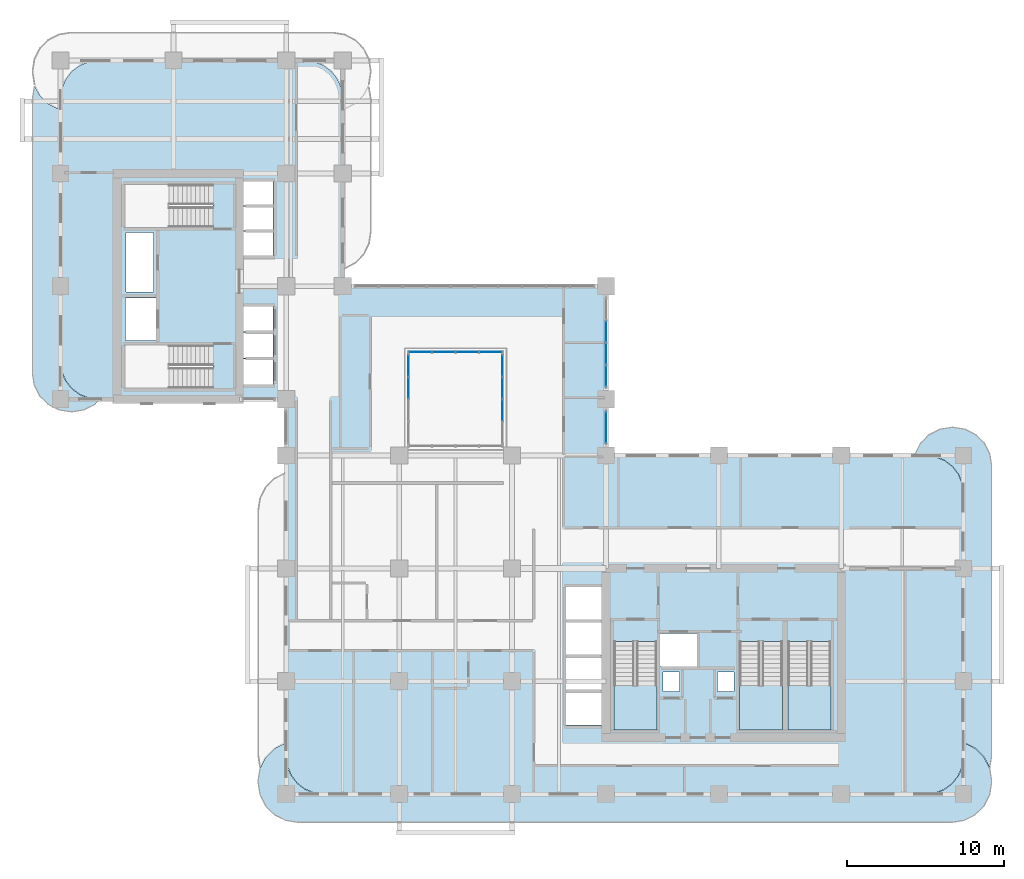
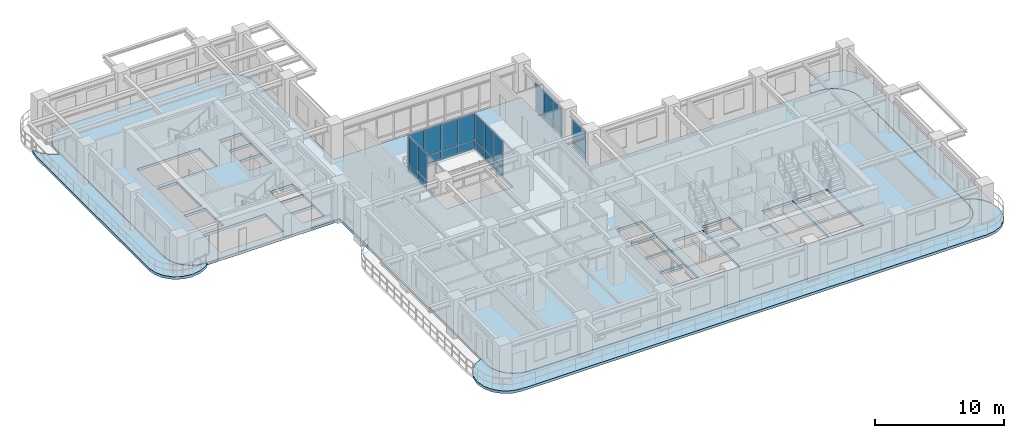
# One storey, part 10 of 22: 26 plates, 7 slabs, 8 elements without a shape of their own.
"""IFC4 building model written with IfcOpenShell, lengths in metres."""

import ifcopenshell
import ifcopenshell.guid

model = None  # the IFC model being written
_history = None  # IfcOwnerHistory: only IFC2X3 demands one
_inside = {}  # id of a spatial element -> (the spatial element, [elements in it])
_under = {}  # id of a project, library or spatial element -> (it, [spatial elements below it])
_declared = {}  # id of a project -> (the project, [libraries it declares])
_typed = {}  # id of a type object -> (the type object, [elements of that type])
_made_of = {}  # id of a material, layer set ... -> (it, [elements and type objects made of it])


def new_model(schema):
    """Start an empty IFC model of exactly this schema.

    Asked for "IFC4X3", IfcOpenShell would pick the latest addendum, in which some entities
    have other attributes; the version numbers below select the first issue.
    IFC2X3 requires an IfcOwnerHistory on every rooted entity: one is made here for all.
    """
    global model, _history
    if schema == "IFC4X3":
        model = ifcopenshell.file(schema_version=(4, 3, 0, 0))
    else:
        model = ifcopenshell.file(schema=schema)
    _inside.clear()
    _under.clear()
    _declared.clear()
    _typed.clear()
    _made_of.clear()
    _history = None
    if model.schema == "IFC2X3":
        org = make("IfcOrganization", Name="unknown")
        user = make(
            "IfcPersonAndOrganization",
            ThePerson=make("IfcPerson", FamilyName="unknown"),
            TheOrganization=org,
        )
        app = make(
            "IfcApplication",
            ApplicationDeveloper=org,
            Version="unknown",
            ApplicationFullName="unknown",
            ApplicationIdentifier="unknown",
        )
        _history = make(
            "IfcOwnerHistory",
            OwningUser=user,
            OwningApplication=app,
            ChangeAction="ADDED",
            CreationDate=0,
        )
    return model


def make(cls, **values):
    """One entity of the class cls with the attributes given. An attribute that is None is left unset."""
    return model.create_entity(
        cls, **{name: value for name, value in values.items() if value is not None}
    )


def rooted(cls, **values):
    """An entity with a GlobalId (a new one), such as an element, a storey or a relation."""
    return make(cls, GlobalId=ifcopenshell.guid.new(), OwnerHistory=_history, **values)


def si_unit(unit_type, name, prefix=None):
    """IfcSIUnit, for example si_unit("LENGTHUNIT", "METRE", prefix="MILLI")."""
    return make("IfcSIUnit", UnitType=unit_type, Prefix=prefix, Name=name)


def derived_unit(unit_type, elements):
    """IfcDerivedUnit: a product of units, each with its exponent."""
    return make(
        "IfcDerivedUnit",
        Elements=[
            make("IfcDerivedUnitElement", Unit=unit, Exponent=power)
            for unit, power in elements
        ],
        UnitType=unit_type,
    )


def assignment(units):
    """IfcUnitAssignment: the units of a project."""
    return None if units is None else make("IfcUnitAssignment", Units=units)


def point(xyz):
    """IfcCartesianPoint."""
    return None if xyz is None else make("IfcCartesianPoint", Coordinates=xyz)


def direction(xyz):
    """IfcDirection."""
    return None if xyz is None else make("IfcDirection", DirectionRatios=xyz)


def frame(location, z_axis=None, x_axis=None):
    """IfcAxis2Placement3D, a coordinate frame: its origin and axes. An axis left out is left unset."""
    return make(
        "IfcAxis2Placement3D",
        Location=point(location),
        Axis=direction(z_axis),
        RefDirection=direction(x_axis),
    )


def frame_2d(location, x_axis=None):
    """IfcAxis2Placement2D, a coordinate frame in the plane: its origin and x axis."""
    return make(
        "IfcAxis2Placement2D", Location=point(location), RefDirection=direction(x_axis)
    )


def origin():
    """The frame at (0, 0, 0) with its axes left unset."""
    return frame((0.0, 0.0, 0.0))


def origin_2d():
    """The frame at (0, 0) in the plane with its x axis left unset."""
    return frame_2d((0.0, 0.0))


def place(relative_to, where):
    """IfcLocalPlacement: puts the frame where relative to a parent placement (None: the world)."""
    return make(
        "IfcLocalPlacement", PlacementRelTo=relative_to, RelativePlacement=where
    )


def context(
    kind, dimensions, precision=None, world=None, true_north=None, identifier=None
):
    """IfcGeometricRepresentationContext, for example the 3D "Model" context."""
    return make(
        "IfcGeometricRepresentationContext",
        ContextIdentifier=identifier,
        ContextType=kind,
        CoordinateSpaceDimension=dimensions,
        Precision=precision,
        WorldCoordinateSystem=world,
        TrueNorth=true_north,
    )


def subcontext(parent, identifier, kind, view, scale=None):
    """IfcGeometricRepresentationSubContext, for example "Body" below "Model"."""
    return make(
        "IfcGeometricRepresentationSubContext",
        ContextIdentifier=identifier,
        ContextType=kind,
        ParentContext=parent,
        TargetScale=scale,
        TargetView=view,
    )


def project(units=None, contexts=None):
    """IfcProject with its units and contexts."""
    return rooted(
        "IfcProject",
        Name="project",
        RepresentationContexts=contexts,
        UnitsInContext=assignment(units),
    )


def spatial(cls, under=None, at=None, **own):
    """A site, building, storey or space (cls), placed at a placement, below another one or the project."""
    s = rooted(cls, ObjectPlacement=at, **own)
    if under is not None:
        _under.setdefault(under.id(), (under, []))[1].append(s)
    return s


def polyline(points):
    """IfcPolyline through the points."""
    return make("IfcPolyline", Points=[point(p) for p in points])


def profile(cls, at=None, kind="AREA", **sizes):
    """A parametric profile (cls). Its sizes go by their IFC names, for example OverallWidth=200.0."""
    return make(cls, ProfileType=kind, Position=at, **sizes)


def rectangle(**sizes):
    """IfcRectangleProfileDef."""
    return profile("IfcRectangleProfileDef", **sizes)


def outline(outer, holes=None, kind="AREA"):
    """IfcArbitraryClosedProfileDef: a profile drawn as a closed curve; with holes, ...WithVoids."""
    if holes is None:
        return make("IfcArbitraryClosedProfileDef", ProfileType=kind, OuterCurve=outer)
    return make(
        "IfcArbitraryProfileDefWithVoids",
        ProfileType=kind,
        OuterCurve=outer,
        InnerCurves=holes,
    )


def extrude(swept, where, along, depth):
    """IfcExtrudedAreaSolid: the profile swept, set in the frame where, extruded along a direction by depth."""
    return make(
        "IfcExtrudedAreaSolid",
        SweptArea=swept,
        Position=where,
        ExtrudedDirection=direction(along),
        Depth=depth,
    )


def shape(context_of_items, identifier, shape_type, items):
    """IfcShapeRepresentation: the items that make up one representation, for example the "Body"."""
    return make(
        "IfcShapeRepresentation",
        ContextOfItems=context_of_items,
        RepresentationIdentifier=identifier,
        RepresentationType=shape_type,
        Items=items,
    )


def source(mapping_origin, context_of_items, identifier, shape_type, items):
    """IfcRepresentationMap: a shape defined once, which mapped items show again and again."""
    return make(
        "IfcRepresentationMap",
        MappingOrigin=mapping_origin,
        MappedRepresentation=shape(context_of_items, identifier, shape_type, items),
    )


def transform(
    local_origin,
    x_axis=None,
    y_axis=None,
    z_axis=None,
    scale=None,
    scale2=None,
    scale3=None,
    uniform=True,
):
    """IfcCartesianTransformationOperator3D, or its non-uniform kind. x_axis, y_axis, z_axis: its Axis1, 2, 3."""
    if uniform:
        return make(
            "IfcCartesianTransformationOperator3D",
            Axis1=direction(x_axis),
            Axis2=direction(y_axis),
            LocalOrigin=point(local_origin),
            Scale=scale,
            Axis3=direction(z_axis),
        )
    return make(
        "IfcCartesianTransformationOperator3DnonUniform",
        Axis1=direction(x_axis),
        Axis2=direction(y_axis),
        LocalOrigin=point(local_origin),
        Scale=scale,
        Axis3=direction(z_axis),
        Scale2=scale2,
        Scale3=scale3,
    )


def mapped(mapping_source, mapping_target):
    """IfcMappedItem: shows the shape of a source again, moved by a transform."""
    return make(
        "IfcMappedItem", MappingSource=mapping_source, MappingTarget=mapping_target
    )


def material(Name=None, Category=None):
    """IfcMaterial."""
    return make("IfcMaterial", Name=Name, Category=Category)


def layer(
    of_material, thickness, ventilated=None, Name=None, Category=None, Priority=None
):
    """IfcMaterialLayer: one layer of a wall or slab, of a material (None: an air gap)."""
    return make(
        "IfcMaterialLayer",
        Material=of_material,
        LayerThickness=thickness,
        IsVentilated=ventilated,
        Name=Name,
        Category=Category,
        Priority=Priority,
    )


def layer_set(layers, Name=None):
    """IfcMaterialLayerSet."""
    return make("IfcMaterialLayerSet", MaterialLayers=layers, LayerSetName=Name)


def made_of(thing, what):
    """Note that an element or type object is made of a material, layer set ...; save() writes the relation."""
    if what is not None:
        _made_of.setdefault(what.id(), (what, []))[1].append(thing)
    return thing


def type_object(cls, material=None, **own):
    """A type object (cls), such as IfcWallType, which elements share."""
    return made_of(rooted(cls, **own), material)


def element(
    cls,
    number,
    at=None,
    inside=None,
    cuts=None,
    type_object=None,
    material=None,
    context=None,
    identifier="Body",
    shape_type=None,
    held_by="IfcProductDefinitionShape",
    body=None,
    shapes=None,
    **own,
):
    """One element of the class cls, such as IfcWall. Its Tag is "e" and its number.

    at: its placement. inside: the storey or other place that contains it. cuts: it is an
    opening in that element (IfcRelVoidsElement). A single representation is given by context,
    identifier, shape_type and body (its items); several are given by shapes. held_by: the class
    of the entity that holds the representations. save() writes the other relations.
    """
    e = rooted(cls, Tag="e%d" % number, ObjectPlacement=at, **own)
    if body is not None:
        shapes = [shape(context, identifier, shape_type, body)]
    if shapes is not None:
        e.Representation = make(held_by, Representations=shapes)
    if inside is not None:
        _inside.setdefault(inside.id(), (inside, []))[1].append(e)
    if cuts is not None:
        rooted(
            "IfcRelVoidsElement", RelatingBuildingElement=cuts, RelatedOpeningElement=e
        )
    if type_object is not None:
        _typed.setdefault(type_object.id(), (type_object, []))[1].append(e)
    return made_of(e, material)


def aggregate(whole, parts):
    """IfcRelAggregates: a whole, such as a stair, and the parts it consists of."""
    return rooted("IfcRelAggregates", RelatingObject=whole, RelatedObjects=parts)


def save(model, path):
    """Write the relations noted so far, then the file.

    IfcRelAggregates (storeys below a building ...), IfcRelContainedInSpatialStructure (elements
    in a storey), IfcRelDefinesByType, IfcRelAssociatesMaterial and IfcRelDeclares: one each for
    every whole, place, type object, material and project.
    """
    for whole, parts in _under.values():
        aggregate(whole, parts)
    for where, things in _inside.values():
        rooted(
            "IfcRelContainedInSpatialStructure",
            RelatedElements=things,
            RelatingStructure=where,
        )
    for kind, things in _typed.values():
        rooted("IfcRelDefinesByType", RelatedObjects=things, RelatingType=kind)
    for what, things in _made_of.values():
        rooted("IfcRelAssociatesMaterial", RelatedObjects=things, RelatingMaterial=what)
    for by, libraries in _declared.values():
        rooted("IfcRelDeclares", RelatingContext=by, RelatedDefinitions=libraries)
    model.write(path)


model = new_model("IFC4")

# Units and contexts
model_context = context("Model", 3, precision=1e-05, world=origin(), true_north=direction((0.0, 1.0)))
body_context = subcontext(model_context, "Body", "Model", "MODEL_VIEW")
ifc_project = project(units=[si_unit("LENGTHUNIT", "METRE"), si_unit("AREAUNIT", "SQUARE_METRE"), si_unit("VOLUMEUNIT", "CUBIC_METRE"), si_unit("PLANEANGLEUNIT", "RADIAN"), si_unit("MASSUNIT", "GRAM", prefix="KILO"), si_unit("THERMODYNAMICTEMPERATUREUNIT", "KELVIN"), si_unit("POWERUNIT", "WATT"), derived_unit("THERMALTRANSMITTANCEUNIT", [(si_unit("POWERUNIT", "WATT"), 1), (si_unit("AREAUNIT", "SQUARE_METRE"), -1), (si_unit("THERMODYNAMICTEMPERATUREUNIT", "KELVIN"), -1)])], contexts=[model_context])

# Site, building, storey
site_placement = place(None, origin())
site = spatial("IfcSite", under=ifc_project, at=site_placement, CompositionType="ELEMENT")
building_placement = place(site_placement, origin())
building = spatial("IfcBuilding", under=site, at=building_placement, Name="Zahravan Archway Hotel and Residences", CompositionType="ELEMENT")
storey_placement = place(building_placement, frame((0.0, 0.0, 95.300048828125)))
storey = spatial("IfcBuildingStorey", under=building, at=storey_placement, Name="L23", CompositionType="ELEMENT", Elevation=95.300048828125)

# Slabs
ifc_material_1 = material(Name="Concrete C45/55", Category="concrete")
ifc_layer_1 = layer(ifc_material_1, 0.25, Name="Concrete C45/55", Category="concrete")
ifc_layer_set_1 = layer_set([ifc_layer_1], Name="Concrete C45/55")
slab_type_1 = type_object("IfcSlabType", Name="SLB-BALC-250", PredefinedType="FLOOR", material=ifc_layer_set_1)
slab_1_placement = place(storey_placement, frame((0.0, 0.0, -0.25)))
element("IfcSlab", 1, at=slab_1_placement, inside=storey, type_object=slab_type_1, Name="L23 Wing A South Rounded Balcony Band", PredefinedType="FLOOR", context=body_context, shape_type="SweptSolid", body=[
    extrude(outline(polyline([(57.637939453125, 3.275146484375), (58.348876953125, 2.9130859375), (58.9130859375, 2.348876953125), (59.275146484375, 1.637939453125), (59.39990234375, 0.85009765625), (59.39990234375, 0.75), (59.275146484375, -0.0380859375), (58.9130859375, -0.748779296875), (58.348876953125, -1.31298828125), (57.637939453125, -1.67529296875), (56.85009765625, -1.800048828125), (15.14990234375, -1.800048828125), (14.362060546875, -1.67529296875), (13.651123046875, -1.31298828125), (13.0869140625, -0.748779296875), (12.724853515625, -0.0380859375), (12.60009765625, 0.75), (12.60009765625, 0.85009765625), (12.724853515625, 1.637939453125), (13.0869140625, 2.348876953125), (13.651123046875, 2.9130859375), (14.362060546875, 3.275146484375), (14.3798828125, 3.278076171875), (14.3798828125, 2.39990234375), (14.380126953125, 2.3974609375), (14.4619140625, 1.776123046875), (14.46240234375, 1.7744140625), (14.462646484375, 1.772705078125), (14.46337890625, 1.77099609375), (14.702880859375, 1.1923828125), (14.703857421875, 1.19091796875), (14.70458984375, 1.189208984375), (14.70556640625, 1.187744140625), (15.0869140625, 0.690673828125), (15.088134765625, 0.689453125), (15.08935546875, 0.688232421875), (15.0908203125, 0.68701171875), (15.587890625, 0.3056640625), (15.58935546875, 0.3046875), (15.5908203125, 0.3037109375), (15.59228515625, 0.302978515625), (16.171142578125, 0.063232421875), (16.1728515625, 0.062744140625), (16.174560546875, 0.062255859375), (16.17626953125, 0.06201171875), (16.79736328125, -0.019775390625), (16.800048828125, -0.02001953125), (55.199951171875, -0.02001953125), (55.20263671875, -0.019775390625), (55.82373046875, 0.06201171875), (55.825439453125, 0.062255859375), (55.8271484375, 0.062744140625), (55.828857421875, 0.063232421875), (56.40771484375, 0.302978515625), (56.4091796875, 0.3037109375), (56.41064453125, 0.3046875), (56.412109375, 0.3056640625), (56.9091796875, 0.68701171875), (56.91064453125, 0.688232421875), (56.911865234375, 0.689453125), (56.9130859375, 0.690673828125), (57.29443359375, 1.187744140625), (57.29541015625, 1.189208984375), (57.296142578125, 1.19091796875), (57.297119140625, 1.1923828125), (57.53662109375, 1.77099609375), (57.537353515625, 1.772705078125), (57.53759765625, 1.7744140625), (57.5380859375, 1.776123046875), (57.619873046875, 2.3974609375), (57.6201171875, 2.39990234375), (57.6201171875, 3.278076171875), (57.637939453125, 3.275146484375)])), origin(), (0.0, 0.0, 1.0), 0.25),
])
slab_2_placement = place(storey_placement, frame((0.0, 0.0, -0.25)))
element("IfcSlab", 2, at=slab_2_placement, inside=storey, type_object=slab_type_1, Name="L23 Wing A East Rounded Balcony Band", PredefinedType="FLOOR", context=body_context, shape_type="SweptSolid", body=[
    extrude(outline(polyline([(54.52001953125, 21.70703125), (54.867919921875, 22.39013671875), (55.409912109375, 22.93212890625), (56.093017578125, 23.280029296875), (56.85009765625, 23.39990234375), (56.949951171875, 23.39990234375), (57.70703125, 23.280029296875), (58.39013671875, 22.93212890625), (58.93212890625, 22.39013671875), (59.280029296875, 21.70703125), (59.39990234375, 20.949951171875), (59.39990234375, 2.449951171875), (59.280029296875, 1.69287109375), (59.27490234375, 1.6826171875), (58.930908203125, 2.35791015625), (58.9296875, 2.35986328125), (58.928466796875, 2.361572265625), (58.927001953125, 2.363037109375), (58.363037109375, 2.927001953125), (58.361572265625, 2.928466796875), (58.35986328125, 2.9296875), (58.35791015625, 2.930908203125), (57.647216796875, 3.29296875), (57.645263671875, 3.2939453125), (57.643310546875, 3.29443359375), (57.64111328125, 3.294921875), (57.623046875, 3.2978515625), (57.62109375, 3.298095703125), (57.6201171875, 3.298095703125), (57.6201171875, 19.199951171875), (57.619873046875, 19.20263671875), (57.5380859375, 19.82373046875), (57.53759765625, 19.825439453125), (57.537353515625, 19.8271484375), (57.53662109375, 19.828857421875), (57.297119140625, 20.40771484375), (57.296142578125, 20.4091796875), (57.29541015625, 20.41064453125), (57.29443359375, 20.412109375), (56.9130859375, 20.9091796875), (56.911865234375, 20.91064453125), (56.91064453125, 20.911865234375), (56.9091796875, 20.9130859375), (56.412109375, 21.29443359375), (56.41064453125, 21.29541015625), (56.4091796875, 21.296142578125), (56.40771484375, 21.297119140625), (55.828857421875, 21.53662109375), (55.8271484375, 21.537353515625), (55.825439453125, 21.53759765625), (55.82373046875, 21.5380859375), (55.20263671875, 21.619873046875), (55.199951171875, 21.6201171875), (54.506103515625, 21.6201171875), (54.52001953125, 21.70703125)])), origin(), (0.0, 0.0, 1.0), 0.25),
])
slab_3_placement = place(storey_placement, frame((0.0, 0.0, -0.25)))
element("IfcSlab", 3, at=slab_3_placement, inside=storey, type_object=slab_type_1, Name="L23 Wing B West Rounded Balcony Band", PredefinedType="FLOOR", context=body_context, shape_type="SweptSolid", body=[
    extrude(outline(polyline([(2.190185546875, 24.867919921875), (1.507080078125, 24.52001953125), (0.75, 24.39990234375), (0.64990234375, 24.39990234375), (-0.107177734375, 24.52001953125), (-0.7900390625, 24.867919921875), (-1.33203125, 25.409912109375), (-1.68017578125, 26.093017578125), (-1.800048828125, 26.85009765625), (-1.800048828125, 44.35009765625), (-1.68017578125, 45.107177734375), (-1.64404296875, 45.177978515625), (-1.349853515625, 44.600830078125), (-1.348876953125, 44.59912109375), (-1.34765625, 44.597412109375), (-1.34619140625, 44.595703125), (-0.80419921875, 44.0537109375), (-0.802734375, 44.052490234375), (-0.801025390625, 44.051025390625), (-0.79931640625, 44.050048828125), (-0.1162109375, 43.7021484375), (-0.1142578125, 43.701171875), (-0.1123046875, 43.70068359375), (-0.110107421875, 43.7001953125), (-0.023193359375, 43.686279296875), (-0.021240234375, 43.68603515625), (-0.02001953125, 43.68603515625), (-0.02001953125, 27.60009765625), (-0.019775390625, 27.597412109375), (0.06201171875, 26.976318359375), (0.062255859375, 26.974609375), (0.062744140625, 26.972900390625), (0.063232421875, 26.97119140625), (0.302978515625, 26.392333984375), (0.3037109375, 26.390869140625), (0.3046875, 26.389404296875), (0.3056640625, 26.3876953125), (0.68701171875, 25.890625), (0.688232421875, 25.889404296875), (0.689453125, 25.88818359375), (0.690673828125, 25.886962890625), (1.187744140625, 25.505615234375), (1.189208984375, 25.504638671875), (1.19091796875, 25.50390625), (1.1923828125, 25.5029296875), (1.77099609375, 25.26318359375), (1.772705078125, 25.2626953125), (1.7744140625, 25.26220703125), (1.776123046875, 25.261962890625), (2.3974609375, 25.18017578125), (2.39990234375, 25.179931640625), (2.502197265625, 25.179931640625), (2.190185546875, 24.867919921875)])), origin(), (0.0, 0.0, 1.0), 0.25),
])
ifc_layer_2 = layer(ifc_material_1, 0.25, Name="Concrete C45/55", Category="concrete")
ifc_layer_set_2 = layer_set([ifc_layer_2], Name="Concrete C45/55")
slab_type_2 = type_object("IfcSlabType", Name="SLB-FLR-250", PredefinedType="FLOOR", material=ifc_layer_set_2)
slab_4_placement = place(storey_placement, frame((0.0, 0.0, -0.25)))
element("IfcSlab", 4, at=slab_4_placement, inside=storey, type_object=slab_type_2, Name="L23 Floor Slab LB", PredefinedType="FLOOR", context=body_context, shape_type="SweptSolid", body=[
    extrude(outline(polyline([(34.800048828125, 21.60009765625), (34.800048828125, 32.39990234375), (18.0, 32.39990234375), (18.0, 44.39990234375), (17.918212890625, 45.021240234375), (17.678466796875, 45.60009765625), (17.297119140625, 46.09716796875), (16.800048828125, 46.478515625), (16.22119140625, 46.71826171875), (15.60009765625, 46.800048828125), (2.39990234375, 46.800048828125), (1.77880859375, 46.71826171875), (1.199951171875, 46.478515625), (0.702880859375, 46.09716796875), (0.321533203125, 45.60009765625), (0.081787109375, 45.021240234375), (0.0, 44.39990234375), (0.0, 27.60009765625), (0.081787109375, 26.978759765625), (0.321533203125, 26.39990234375), (0.702880859375, 25.90283203125), (1.199951171875, 25.521484375), (1.77880859375, 25.28173828125), (2.39990234375, 25.199951171875), (14.39990234375, 25.199951171875), (14.39990234375, 19.199951171875), (14.39990234375, 19.10009765625), (14.39990234375, 2.39990234375), (14.481689453125, 1.77880859375), (14.721435546875, 1.199951171875), (15.102783203125, 0.702880859375), (15.60009765625, 0.321533203125), (16.1787109375, 0.081787109375), (16.800048828125, 0.0), (55.199951171875, 0.0), (55.8212890625, 0.081787109375), (56.39990234375, 0.321533203125), (56.897216796875, 0.702880859375), (57.278564453125, 1.199951171875), (57.518310546875, 1.77880859375), (57.60009765625, 2.39990234375), (57.60009765625, 19.199951171875), (57.518310546875, 19.8212890625), (57.278564453125, 20.39990234375), (56.897216796875, 20.897216796875), (56.39990234375, 21.278564453125), (55.8212890625, 21.518310546875), (55.199951171875, 21.60009765625), (34.800048828125, 21.60009765625)]), holes=[polyline([(35.300048828125, 9.72998046875), (35.300048828125, 4.10009765625), (38.0400390625, 4.10009765625), (38.0400390625, 9.72998046875), (35.300048828125, 9.72998046875)]), polyline([(43.320068359375, 9.72998046875), (43.320068359375, 4.10009765625), (46.06005859375, 4.10009765625), (46.06005859375, 9.72998046875), (43.320068359375, 9.72998046875)]), polyline([(46.39990234375, 9.72998046875), (46.39990234375, 4.10009765625), (49.139892578125, 4.10009765625), (49.139892578125, 9.72998046875), (46.39990234375, 9.72998046875)]), polyline([(9.72998046875, 28.639892578125), (4.10009765625, 28.639892578125), (4.10009765625, 25.89990234375), (9.72998046875, 25.89990234375), (9.72998046875, 28.639892578125)]), polyline([(9.72998046875, 38.89990234375), (4.10009765625, 38.89990234375), (4.10009765625, 36.159912109375), (9.72998046875, 36.159912109375), (9.72998046875, 38.89990234375)]), polyline([(38.179931640625, 8.14990234375), (40.699951171875, 8.14990234375), (40.699951171875, 10.25), (38.179931640625, 10.25), (38.179931640625, 8.14990234375)]), polyline([(4.14990234375, 28.949951171875), (6.10009765625, 28.949951171875), (6.10009765625, 31.64990234375), (4.14990234375, 31.64990234375), (4.14990234375, 28.949951171875)]), polyline([(11.550048828125, 26.14990234375), (13.550048828125, 26.14990234375), (13.550048828125, 27.75), (11.550048828125, 27.75), (11.550048828125, 26.14990234375)]), polyline([(11.550048828125, 27.830078125), (13.550048828125, 27.830078125), (13.550048828125, 29.429931640625), (11.550048828125, 29.429931640625), (11.550048828125, 27.830078125)]), polyline([(11.550048828125, 29.510009765625), (13.550048828125, 29.510009765625), (13.550048828125, 31.110107421875), (11.550048828125, 31.110107421875), (11.550048828125, 29.510009765625)]), polyline([(11.550048828125, 34.35009765625), (13.550048828125, 34.35009765625), (13.550048828125, 35.889892578125), (11.550048828125, 35.889892578125), (11.550048828125, 34.35009765625)]), polyline([(11.550048828125, 35.949951171875), (13.550048828125, 35.949951171875), (13.550048828125, 37.489990234375), (11.550048828125, 37.489990234375), (11.550048828125, 35.949951171875)]), polyline([(11.550048828125, 37.550048828125), (13.550048828125, 37.550048828125), (13.550048828125, 39.090087890625), (11.550048828125, 39.090087890625), (11.550048828125, 37.550048828125)]), polyline([(32.25, 4.39990234375), (34.550048828125, 4.39990234375), (34.550048828125, 6.47998046875), (32.25, 6.47998046875), (32.25, 4.39990234375)]), polyline([(32.25, 6.639892578125), (34.550048828125, 6.639892578125), (34.550048828125, 8.719970703125), (32.25, 8.719970703125), (32.25, 6.639892578125)]), polyline([(32.25, 8.8798828125), (34.550048828125, 8.8798828125), (34.550048828125, 10.9599609375), (32.25, 10.9599609375), (32.25, 8.8798828125)]), polyline([(32.25, 11.1201171875), (34.550048828125, 11.1201171875), (34.550048828125, 13.199951171875), (32.25, 13.199951171875), (32.25, 11.1201171875)]), polyline([(22.199951171875, 22.199951171875), (28.199951171875, 22.199951171875), (28.199951171875, 28.199951171875), (22.199951171875, 28.199951171875), (22.199951171875, 22.199951171875)]), polyline([(38.419921875, 6.56005859375), (39.5, 6.56005859375), (39.5, 7.780029296875), (38.419921875, 7.780029296875), (38.419921875, 6.56005859375)]), polyline([(41.89990234375, 6.56005859375), (42.9599609375, 6.56005859375), (42.9599609375, 7.780029296875), (41.89990234375, 7.780029296875), (41.89990234375, 6.56005859375)]), polyline([(4.179931640625, 32.050048828125), (5.93994140625, 32.050048828125), (5.93994140625, 35.840087890625), (4.179931640625, 35.840087890625), (4.179931640625, 32.050048828125)])]), origin(), (0.0, 0.0, 1.0), 0.25),
])

# Stair, slab
ifc_material_2 = material(Name="Concrete C50/60", Category="concrete")
stair_type = type_object("IfcStairType", Name="STR-CORE-1300", PredefinedType="HALF_TURN_STAIR", material=ifc_material_2)
stair_1_placement = place(storey_placement, origin())
stair_1 = element("IfcStair", 5, at=stair_1_placement, inside=storey, type_object=stair_type, Name="L23 Core A Exit Stair 1", PredefinedType="HALF_TURN_STAIR")
ifc_layer_3 = layer(ifc_material_2, 0.199951171875, Name="Concrete C50/60", Category="concrete")
ifc_layer_set_3 = layer_set([ifc_layer_3], Name="Concrete C50/60")
slab_type_3 = type_object("IfcSlabType", Name="SLB-LND-200", PredefinedType="LANDING", material=ifc_layer_set_3)
slab_5_placement = place(storey_placement, frame((0.0, 0.0, 1.64990234375)))
slab_5 = element("IfcSlab", 6, at=slab_5_placement, type_object=slab_type_3, Name="ST-A1 landing 1", PredefinedType="LANDING", context=body_context, shape_type="SweptSolid", body=[
    extrude(outline(polyline([(35.300048828125, 6.929931640625), (35.300048828125, 4.10009765625), (38.0400390625, 4.10009765625), (38.0400390625, 6.929931640625), (35.300048828125, 6.929931640625)])), origin(), (0.0, 0.0, 1.0), 0.199951171875),
])
aggregate(stair_1, [slab_5])

stair_2_placement = place(storey_placement, origin())
stair_2 = element("IfcStair", 7, at=stair_2_placement, inside=storey, type_object=stair_type, Name="L23 Core A Exit Stair 2", PredefinedType="HALF_TURN_STAIR")
slab_6_placement = place(storey_placement, frame((0.0, 0.0, 1.64990234375)))
slab_6 = element("IfcSlab", 8, at=slab_6_placement, type_object=slab_type_3, Name="ST-A2 landing 1", PredefinedType="LANDING", context=body_context, shape_type="SweptSolid", body=[
    extrude(outline(polyline([(43.320068359375, 6.929931640625), (43.320068359375, 4.10009765625), (46.06005859375, 4.10009765625), (46.06005859375, 6.929931640625), (43.320068359375, 6.929931640625)])), origin(), (0.0, 0.0, 1.0), 0.199951171875),
])
aggregate(stair_2, [slab_6])

stair_3_placement = place(storey_placement, origin())
stair_3 = element("IfcStair", 9, at=stair_3_placement, inside=storey, type_object=stair_type, Name="L23 Core A Exit Stair 3", PredefinedType="HALF_TURN_STAIR")
slab_7_placement = place(storey_placement, frame((0.0, 0.0, 1.64990234375)))
slab_7 = element("IfcSlab", 10, at=slab_7_placement, type_object=slab_type_3, Name="ST-A3 landing 1", PredefinedType="LANDING", context=body_context, shape_type="SweptSolid", body=[
    extrude(outline(polyline([(46.39990234375, 6.929931640625), (46.39990234375, 4.10009765625), (49.139892578125, 4.10009765625), (49.139892578125, 6.929931640625), (46.39990234375, 6.929931640625)])), origin(), (0.0, 0.0, 1.0), 0.199951171875),
])
aggregate(stair_3, [slab_7])

# Curtain wall, plates
ifc_material_3 = material(Name="Bronze-Anodized Unitised Aluminium & Low-E Glass", Category="aluminium")
ifc_layer_4 = layer(ifc_material_3, 0.179931640625, Name="Bronze-Anodized Unitised Aluminium & Low-E Glass", Category="aluminium")
ifc_layer_set_4 = layer_set([ifc_layer_4], Name="Bronze-Anodized Unitised Aluminium & Low-E Glass")
curtain_wall_type = type_object("IfcCurtainWallType", Name="CW-ATR-GLAZ", PredefinedType="NOTDEFINED", material=ifc_layer_set_4)
curtain_wall_1_placement = place(storey_placement, origin())
curtain_wall_1 = element("IfcCurtainWall", 11, at=curtain_wall_1_placement, inside=storey, type_object=curtain_wall_type, Name="L23 Curtain Wall CW-L23-HNG-E-2", PredefinedType="NOTDEFINED")
ifc_material_4 = material(Name="Insulated Terracotta Spandrel Panel", Category="masonry")
ifc_layer_5 = layer(ifc_material_4, 0.0400390625, Name="Insulated Terracotta Spandrel Panel", Category="masonry")
ifc_layer_set_5 = layer_set([ifc_layer_5], Name="Insulated Terracotta Spandrel Panel")
plate_type_1 = type_object("IfcPlateType", Name="CWP-SPN-40", PredefinedType="SHEET", material=ifc_layer_set_5)
shared_shape_1 = source(origin(), body_context, "Body", "SweptSolid", [
    extrude(rectangle(XDim=1.340087890625, YDim=0.0400390625, at=origin_2d()), origin(), (0.0, 0.0, 1.0), 0.552490234375),
])
plate_1_placement = place(storey_placement, frame((34.800048828125, 26.669921875, 0.10009765625), z_axis=(0.0, 0.0, 1.0), x_axis=(0.0, 1.0, 0.0)))
plate_1 = element("IfcPlate", 12, at=plate_1_placement, type_object=plate_type_1, Name="CW-L23-HNG-E-2 Spandrel Panel 0", PredefinedType="SHEET", context=body_context, shape_type="MappedRepresentation", body=[
    mapped(shared_shape_1, transform((0.0, 0.0, 0.0), scale=1.0)),
])
plate_2_placement = place(storey_placement, frame((34.800048828125, 28.090087890625, 0.10009765625), z_axis=(0.0, 0.0, 1.0), x_axis=(0.0, 1.0, 0.0)))
plate_2 = element("IfcPlate", 13, at=plate_2_placement, type_object=plate_type_1, Name="CW-L23-HNG-E-2 Spandrel Panel 1", PredefinedType="SHEET", context=body_context, shape_type="MappedRepresentation", body=[
    mapped(shared_shape_1, transform((0.0, 0.0, 0.0), scale=1.0)),
])
plate_3_placement = place(storey_placement, frame((34.800048828125, 29.510009765625, 0.10009765625), z_axis=(0.0, 0.0, 1.0), x_axis=(0.0, 1.0, 0.0)))
plate_3 = element("IfcPlate", 14, at=plate_3_placement, type_object=plate_type_1, Name="CW-L23-HNG-E-2 Spandrel Panel 2", PredefinedType="SHEET", context=body_context, shape_type="MappedRepresentation", body=[
    mapped(shared_shape_1, transform((0.0, 0.0, 0.0), scale=1.0)),
])
ifc_material_5 = material(Name="Double-Silver Low-E Insulated Vision Glass", Category="glass")
ifc_layer_6 = layer(ifc_material_5, 0.028076171875, Name="Double-Silver Low-E Insulated Vision Glass", Category="glass")
ifc_layer_set_6 = layer_set([ifc_layer_6], Name="Double-Silver Low-E Insulated Vision Glass")
plate_type_2 = type_object("IfcPlateType", Name="CWP-GLZ-28", PredefinedType="CURTAIN_PANEL", material=ifc_layer_set_6)
shared_shape_2 = source(origin(), body_context, "Body", "SweptSolid", [
    extrude(rectangle(XDim=1.340087890625, YDim=0.028076171875, at=origin_2d()), origin(), (0.0, 0.0, 1.0), 2.052490234375),
])
plate_4_placement = place(storey_placement, frame((34.800048828125, 26.669921875, 0.732421875), z_axis=(0.0, 0.0, 1.0), x_axis=(0.0, 1.0, 0.0)))
plate_4 = element("IfcPlate", 15, at=plate_4_placement, type_object=plate_type_2, Name="CW-L23-HNG-E-2 Low-E Vision Panel 0", PredefinedType="CURTAIN_PANEL", context=body_context, shape_type="MappedRepresentation", body=[
    mapped(shared_shape_2, transform((0.0, 0.0, 0.0), scale=1.0)),
])
plate_5_placement = place(storey_placement, frame((34.800048828125, 28.090087890625, 0.732421875), z_axis=(0.0, 0.0, 1.0), x_axis=(0.0, 1.0, 0.0)))
plate_5 = element("IfcPlate", 16, at=plate_5_placement, type_object=plate_type_2, Name="CW-L23-HNG-E-2 Low-E Vision Panel 1", PredefinedType="CURTAIN_PANEL", context=body_context, shape_type="MappedRepresentation", body=[
    mapped(shared_shape_2, transform((0.0, 0.0, 0.0), scale=1.0)),
])
plate_6_placement = place(storey_placement, frame((34.800048828125, 29.510009765625, 0.732421875), z_axis=(0.0, 0.0, 1.0), x_axis=(0.0, 1.0, 0.0)))
plate_6 = element("IfcPlate", 17, at=plate_6_placement, type_object=plate_type_2, Name="CW-L23-HNG-E-2 Low-E Vision Panel 2", PredefinedType="CURTAIN_PANEL", context=body_context, shape_type="MappedRepresentation", body=[
    mapped(shared_shape_2, transform((0.0, 0.0, 0.0), scale=1.0)),
])
aggregate(curtain_wall_1, [plate_1, plate_4, plate_2, plate_5, plate_3, plate_6])

curtain_wall_2_placement = place(storey_placement, origin())
curtain_wall_2 = element("IfcCurtainWall", 18, at=curtain_wall_2_placement, inside=storey, type_object=curtain_wall_type, Name="L23 Curtain Wall CW-L23-HNG-E-1", PredefinedType="NOTDEFINED")
shared_shape_3 = source(origin(), body_context, "Body", "SweptSolid", [
    extrude(rectangle(XDim=2.0, YDim=0.0400390625, at=origin_2d()), origin(), (0.0, 0.0, 1.0), 0.552490234375),
])
plate_7_placement = place(storey_placement, frame((34.800048828125, 23.39990234375, 0.10009765625), z_axis=(0.0, 0.0, 1.0), x_axis=(0.0, 1.0, 0.0)))
plate_7 = element("IfcPlate", 19, at=plate_7_placement, type_object=plate_type_1, Name="CW-L23-HNG-E-1 Spandrel Panel 0", PredefinedType="SHEET", context=body_context, shape_type="MappedRepresentation", body=[
    mapped(shared_shape_3, transform((0.0, 0.0, 0.0), scale=1.0)),
])
shared_shape_4 = source(origin(), body_context, "Body", "SweptSolid", [
    extrude(rectangle(XDim=2.0, YDim=0.028076171875, at=origin_2d()), origin(), (0.0, 0.0, 1.0), 2.052490234375),
])
plate_8_placement = place(storey_placement, frame((34.800048828125, 23.39990234375, 0.732421875), z_axis=(0.0, 0.0, 1.0), x_axis=(0.0, 1.0, 0.0)))
plate_8 = element("IfcPlate", 20, at=plate_8_placement, type_object=plate_type_2, Name="CW-L23-HNG-E-1 Low-E Vision Panel 0", PredefinedType="CURTAIN_PANEL", context=body_context, shape_type="MappedRepresentation", body=[
    mapped(shared_shape_4, transform((0.0, 0.0, 0.0), scale=1.0)),
])
aggregate(curtain_wall_2, [plate_7, plate_8])

curtain_wall_3_placement = place(storey_placement, origin())
curtain_wall_3 = element("IfcCurtainWall", 21, at=curtain_wall_3_placement, inside=storey, type_object=curtain_wall_type, Name="L23 Curtain Wall CW-ATR-L23-N-1", PredefinedType="NOTDEFINED")
shared_shape_5 = source(origin(), body_context, "Body", "SweptSolid", [
    extrude(rectangle(XDim=1.419921875, YDim=0.0400390625, at=origin_2d()), origin(), (0.0, 0.0, 1.0), 0.68798828125),
])
plate_9_placement = place(storey_placement, frame((22.949951171875, 28.199951171875, 0.099853515625), z_axis=(0.0, 0.0, 1.0), x_axis=(1.0, 0.0, 0.0)))
plate_9 = element("IfcPlate", 22, at=plate_9_placement, type_object=plate_type_1, Name="CW-ATR-L23-N-1 Spandrel Panel 0", PredefinedType="SHEET", context=body_context, shape_type="MappedRepresentation", body=[
    mapped(shared_shape_5, transform((0.0, 0.0, 0.0), scale=1.0)),
])
plate_10_placement = place(storey_placement, frame((24.449951171875, 28.199951171875, 0.099853515625), z_axis=(0.0, 0.0, 1.0), x_axis=(1.0, 0.0, 0.0)))
plate_10 = element("IfcPlate", 23, at=plate_10_placement, type_object=plate_type_1, Name="CW-ATR-L23-N-1 Spandrel Panel 1", PredefinedType="SHEET", context=body_context, shape_type="MappedRepresentation", body=[
    mapped(shared_shape_5, transform((0.0, 0.0, 0.0), scale=1.0)),
])
plate_11_placement = place(storey_placement, frame((25.949951171875, 28.199951171875, 0.099853515625), z_axis=(0.0, 0.0, 1.0), x_axis=(1.0, 0.0, 0.0)))
plate_11 = element("IfcPlate", 24, at=plate_11_placement, type_object=plate_type_1, Name="CW-ATR-L23-N-1 Spandrel Panel 2", PredefinedType="SHEET", context=body_context, shape_type="MappedRepresentation", body=[
    mapped(shared_shape_5, transform((0.0, 0.0, 0.0), scale=1.0)),
])
plate_12_placement = place(storey_placement, frame((27.449951171875, 28.199951171875, 0.099853515625), z_axis=(0.0, 0.0, 1.0), x_axis=(1.0, 0.0, 0.0)))
plate_12 = element("IfcPlate", 25, at=plate_12_placement, type_object=plate_type_1, Name="CW-ATR-L23-N-1 Spandrel Panel 3", PredefinedType="SHEET", context=body_context, shape_type="MappedRepresentation", body=[
    mapped(shared_shape_5, transform((0.0, 0.0, 0.0), scale=1.0)),
])
shared_shape_6 = source(origin(), body_context, "Body", "SweptSolid", [
    extrude(rectangle(XDim=1.419921875, YDim=0.028076171875, at=origin_2d()), origin(), (0.0, 0.0, 1.0), 2.48193359375),
])
plate_13_placement = place(storey_placement, frame((22.949951171875, 28.199951171875, 0.867919921875), z_axis=(0.0, 0.0, 1.0), x_axis=(1.0, 0.0, 0.0)))
plate_13 = element("IfcPlate", 26, at=plate_13_placement, type_object=plate_type_2, Name="CW-ATR-L23-N-1 Low-E Vision Panel 0", PredefinedType="CURTAIN_PANEL", context=body_context, shape_type="MappedRepresentation", body=[
    mapped(shared_shape_6, transform((0.0, 0.0, 0.0), scale=1.0)),
])
plate_14_placement = place(storey_placement, frame((24.449951171875, 28.199951171875, 0.867919921875), z_axis=(0.0, 0.0, 1.0), x_axis=(1.0, 0.0, 0.0)))
plate_14 = element("IfcPlate", 27, at=plate_14_placement, type_object=plate_type_2, Name="CW-ATR-L23-N-1 Low-E Vision Panel 1", PredefinedType="CURTAIN_PANEL", context=body_context, shape_type="MappedRepresentation", body=[
    mapped(shared_shape_6, transform((0.0, 0.0, 0.0), scale=1.0)),
])
plate_15_placement = place(storey_placement, frame((25.949951171875, 28.199951171875, 0.867919921875), z_axis=(0.0, 0.0, 1.0), x_axis=(1.0, 0.0, 0.0)))
plate_15 = element("IfcPlate", 28, at=plate_15_placement, type_object=plate_type_2, Name="CW-ATR-L23-N-1 Low-E Vision Panel 2", PredefinedType="CURTAIN_PANEL", context=body_context, shape_type="MappedRepresentation", body=[
    mapped(shared_shape_6, transform((0.0, 0.0, 0.0), scale=1.0)),
])
plate_16_placement = place(storey_placement, frame((27.449951171875, 28.199951171875, 0.867919921875), z_axis=(0.0, 0.0, 1.0), x_axis=(1.0, 0.0, 0.0)))
plate_16 = element("IfcPlate", 29, at=plate_16_placement, type_object=plate_type_2, Name="CW-ATR-L23-N-1 Low-E Vision Panel 3", PredefinedType="CURTAIN_PANEL", context=body_context, shape_type="MappedRepresentation", body=[
    mapped(shared_shape_6, transform((0.0, 0.0, 0.0), scale=1.0)),
])
aggregate(curtain_wall_3, [plate_9, plate_13, plate_10, plate_14, plate_11, plate_15, plate_12, plate_16])

curtain_wall_4_placement = place(storey_placement, origin())
curtain_wall_4 = element("IfcCurtainWall", 30, at=curtain_wall_4_placement, inside=storey, type_object=curtain_wall_type, Name="L23 Curtain Wall CW-ATR-L23-W-1", PredefinedType="NOTDEFINED")
shared_shape_7 = source(origin(), body_context, "Body", "SweptSolid", [
    extrude(rectangle(XDim=1.344970703125, YDim=0.0400390625, at=origin_2d()), origin(), (0.0, 0.0, 1.0), 0.68798828125),
])
plate_17_placement = place(storey_placement, frame((22.199951171875, 25.91259765625, 0.099853515625), z_axis=(0.0, 0.0, 1.0), x_axis=(0.0, 1.0, 0.0)))
plate_17 = element("IfcPlate", 31, at=plate_17_placement, type_object=plate_type_1, Name="CW-ATR-L23-W-1 Spandrel Panel 2", PredefinedType="SHEET", context=body_context, shape_type="MappedRepresentation", body=[
    mapped(shared_shape_7, transform((0.0, 0.0, 0.0), scale=1.0)),
])
plate_18_placement = place(storey_placement, frame((22.199951171875, 27.33740234375, 0.099853515625), z_axis=(0.0, 0.0, 1.0), x_axis=(0.0, 1.0, 0.0)))
plate_18 = element("IfcPlate", 32, at=plate_18_placement, type_object=plate_type_1, Name="CW-ATR-L23-W-1 Spandrel Panel 3", PredefinedType="SHEET", context=body_context, shape_type="MappedRepresentation", body=[
    mapped(shared_shape_7, transform((0.0, 0.0, 0.0), scale=1.0)),
])

curtain_wall_5_placement = place(storey_placement, origin())
curtain_wall_5 = element("IfcCurtainWall", 33, at=curtain_wall_5_placement, inside=storey, type_object=curtain_wall_type, Name="L23 Curtain Wall CW-ATR-L23-E-1", PredefinedType="NOTDEFINED")
plate_19_placement = place(storey_placement, frame((28.199951171875, 24.487548828125, 0.099853515625), z_axis=(0.0, 0.0, 1.0), x_axis=(0.0, 1.0, 0.0)))
plate_19 = element("IfcPlate", 34, at=plate_19_placement, type_object=plate_type_1, Name="CW-ATR-L23-E-1 Spandrel Panel 1", PredefinedType="SHEET", context=body_context, shape_type="MappedRepresentation", body=[
    mapped(shared_shape_7, transform((0.0, 0.0, 0.0), scale=1.0)),
])
plate_20_placement = place(storey_placement, frame((28.199951171875, 25.91259765625, 0.099853515625), z_axis=(0.0, 0.0, 1.0), x_axis=(0.0, 1.0, 0.0)))
plate_20 = element("IfcPlate", 35, at=plate_20_placement, type_object=plate_type_1, Name="CW-ATR-L23-E-1 Spandrel Panel 2", PredefinedType="SHEET", context=body_context, shape_type="MappedRepresentation", body=[
    mapped(shared_shape_7, transform((0.0, 0.0, 0.0), scale=1.0)),
])
plate_21_placement = place(storey_placement, frame((28.199951171875, 27.33740234375, 0.099853515625), z_axis=(0.0, 0.0, 1.0), x_axis=(0.0, 1.0, 0.0)))
plate_21 = element("IfcPlate", 36, at=plate_21_placement, type_object=plate_type_1, Name="CW-ATR-L23-E-1 Spandrel Panel 3", PredefinedType="SHEET", context=body_context, shape_type="MappedRepresentation", body=[
    mapped(shared_shape_7, transform((0.0, 0.0, 0.0), scale=1.0)),
])

# Plate
shared_shape_8 = source(origin(), body_context, "Body", "SweptSolid", [
    extrude(rectangle(XDim=1.344970703125, YDim=0.028076171875, at=origin_2d()), origin(), (0.0, 0.0, 1.0), 2.48193359375),
])
plate_22_placement = place(storey_placement, frame((22.199951171875, 25.91259765625, 0.867919921875), z_axis=(0.0, 0.0, 1.0), x_axis=(0.0, 1.0, 0.0)))
plate_22 = element("IfcPlate", 37, at=plate_22_placement, type_object=plate_type_2, Name="CW-ATR-L23-W-1 Low-E Vision Panel 2", PredefinedType="CURTAIN_PANEL", context=body_context, shape_type="MappedRepresentation", body=[
    mapped(shared_shape_8, transform((0.0, 0.0, 0.0), scale=1.0)),
])

plate_23_placement = place(storey_placement, frame((22.199951171875, 27.33740234375, 0.867919921875), z_axis=(0.0, 0.0, 1.0), x_axis=(0.0, 1.0, 0.0)))
plate_23 = element("IfcPlate", 38, at=plate_23_placement, type_object=plate_type_2, Name="CW-ATR-L23-W-1 Low-E Vision Panel 3", PredefinedType="CURTAIN_PANEL", context=body_context, shape_type="MappedRepresentation", body=[
    mapped(shared_shape_8, transform((0.0, 0.0, 0.0), scale=1.0)),
])

aggregate(curtain_wall_4, [plate_17, plate_22, plate_18, plate_23])

plate_24_placement = place(storey_placement, frame((28.199951171875, 24.487548828125, 0.867919921875), z_axis=(0.0, 0.0, 1.0), x_axis=(0.0, 1.0, 0.0)))
plate_24 = element("IfcPlate", 39, at=plate_24_placement, type_object=plate_type_2, Name="CW-ATR-L23-E-1 Low-E Vision Panel 1", PredefinedType="CURTAIN_PANEL", context=body_context, shape_type="MappedRepresentation", body=[
    mapped(shared_shape_8, transform((0.0, 0.0, 0.0), scale=1.0)),
])

plate_25_placement = place(storey_placement, frame((28.199951171875, 25.91259765625, 0.867919921875), z_axis=(0.0, 0.0, 1.0), x_axis=(0.0, 1.0, 0.0)))
plate_25 = element("IfcPlate", 40, at=plate_25_placement, type_object=plate_type_2, Name="CW-ATR-L23-E-1 Low-E Vision Panel 2", PredefinedType="CURTAIN_PANEL", context=body_context, shape_type="MappedRepresentation", body=[
    mapped(shared_shape_8, transform((0.0, 0.0, 0.0), scale=1.0)),
])

plate_26_placement = place(storey_placement, frame((28.199951171875, 27.33740234375, 0.867919921875), z_axis=(0.0, 0.0, 1.0), x_axis=(0.0, 1.0, 0.0)))
plate_26 = element("IfcPlate", 41, at=plate_26_placement, type_object=plate_type_2, Name="CW-ATR-L23-E-1 Low-E Vision Panel 3", PredefinedType="CURTAIN_PANEL", context=body_context, shape_type="MappedRepresentation", body=[
    mapped(shared_shape_8, transform((0.0, 0.0, 0.0), scale=1.0)),
])

aggregate(curtain_wall_5, [plate_19, plate_24, plate_20, plate_25, plate_21, plate_26])

save(model, "model.ifc")
